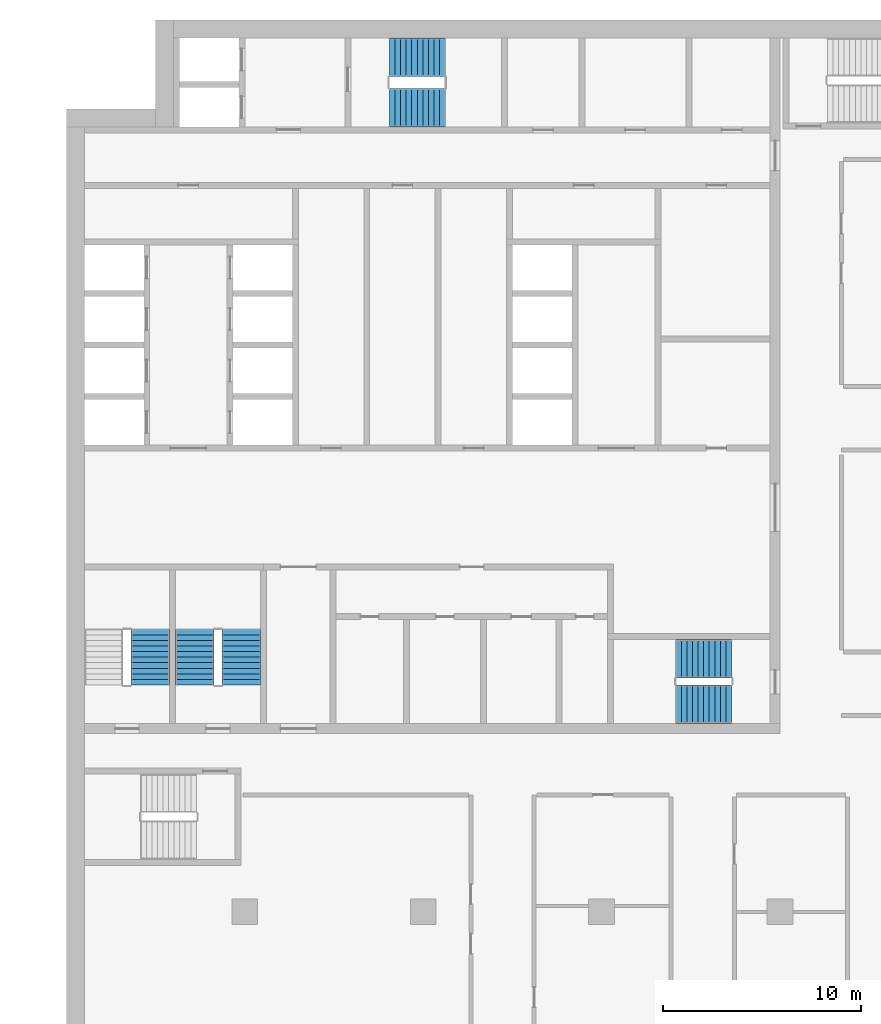
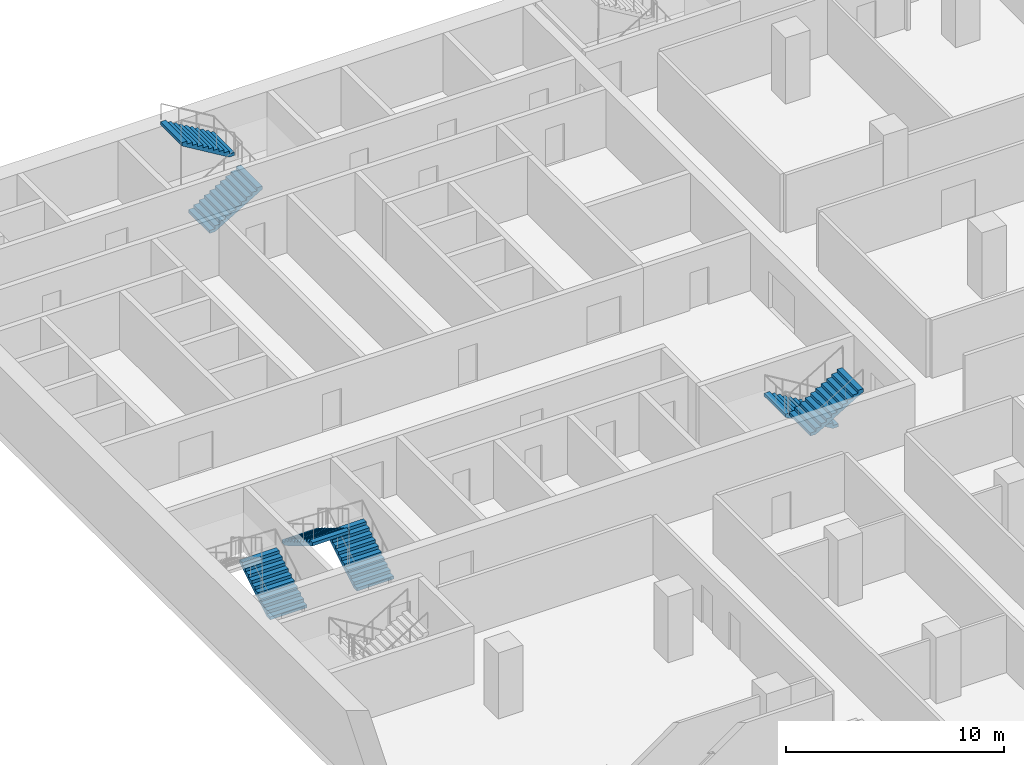
# One storey, part 17 of 23: 7 stair flights, 4 elements without a shape of their own.
"""IFC4 building model written with IfcOpenShell, lengths in metres."""

from ifc_helpers import new_model, si_unit, direction, frame, origin, place, context, subcontext, project, spatial, polyline, outline, extrude, material, type_object, element, aggregate, save


model = new_model("IFC4")

# Units and contexts
model_context = context("Model", 3, precision=1e-05, world=origin(), true_north=direction((0.0, 1.0)))
body_context = subcontext(model_context, "Body", "Model", "MODEL_VIEW")
ifc_project = project(units=[si_unit("LENGTHUNIT", "METRE"), si_unit("AREAUNIT", "SQUARE_METRE"), si_unit("VOLUMEUNIT", "CUBIC_METRE"), si_unit("PLANEANGLEUNIT", "RADIAN"), si_unit("MASSUNIT", "GRAM", prefix="KILO")], contexts=[model_context])

# Site, building, storey
site_placement = place(None, origin())
site = spatial("IfcSite", under=ifc_project, at=site_placement, CompositionType="ELEMENT")
building_placement = place(site_placement, origin())
building = spatial("IfcBuilding", under=site, at=building_placement, Name="Hunhe Ridgeline Campus", CompositionType="ELEMENT")
storey_placement = place(building_placement, frame((0.0, 0.0, 125.5)))
storey = spatial("IfcBuildingStorey", under=building, at=storey_placement, Name="L31", CompositionType="ELEMENT", Elevation=125.5)

# Stair, stair flights
ifc_material = material(Name="Concrete C40", Category="concrete")
stair_type = type_object("IfcStairType", Name="Reinforced concrete dog-leg stair 1950 Concrete C40", PredefinedType="HALF_TURN_STAIR", material=ifc_material)
stair_1_placement = place(storey_placement, origin())
stair_1 = element("IfcStair", 1, at=stair_1_placement, inside=storey, type_object=stair_type, Name="L31 S1", PredefinedType="HALF_TURN_STAIR")
stair_flight_type = type_object("IfcStairFlightType", Name="Reinforced concrete stair flight 1950 Concrete C40", PredefinedType="STRAIGHT", material=ifc_material)
stair_flight_1_placement = place(storey_placement, frame((16.300048828125, 94.574951171875, 0.0), z_axis=(0.0, 0.0, 1.0), x_axis=(1.0, 0.0, 0.0)))
stair_flight_1 = element("IfcStairFlight", 2, at=stair_flight_1_placement, type_object=stair_flight_type, Name="ST1 flight 1", NumberOfRisers=11, NumberOfTreads=10, PredefinedType="STRAIGHT", RiserHeight=0.168181818, TreadLength=0.28, context=body_context, shape_type="SweptSolid", body=[
    extrude(outline(polyline([(0.0, 0.0), (0.0, 0.168212890625), (0.280029296875, 0.168212890625), (0.280029296875, 0.33642578125), (0.56005859375, 0.33642578125), (0.56005859375, 0.504638671875), (0.840087890625, 0.504638671875), (0.840087890625, 0.672607421875), (1.1201171875, 0.672607421875), (1.1201171875, 0.8408203125), (1.39990234375, 0.8408203125), (1.39990234375, 1.009033203125), (1.679931640625, 1.009033203125), (1.679931640625, 1.17724609375), (1.9599609375, 1.17724609375), (1.9599609375, 1.345458984375), (2.239990234375, 1.345458984375), (2.239990234375, 1.513671875), (2.52001953125, 1.513671875), (2.52001953125, 1.681884765625), (2.800048828125, 1.681884765625), (2.800048828125, 1.85009765625), (2.800048828125, 1.5068359375), (0.291015625, 0.0), (0.0, 0.0)])), frame((0.0, 0.97509765625, 0.0), z_axis=(0.0, -1.0, 0.0), x_axis=(1.0, 0.0, 0.0)), (0.0, 0.0, 1.0), 1.949951171875),
    extrude(outline(polyline([(0.030029296875, 0.030029296875), (0.030029296875, 0.13818359375), (0.31005859375, 0.13818359375), (0.31005859375, 0.306396484375), (0.590087890625, 0.306396484375), (0.590087890625, 0.474609375), (0.8701171875, 0.474609375), (0.8701171875, 0.642578125), (1.14990234375, 0.642578125), (1.14990234375, 0.810791015625), (1.429931640625, 0.810791015625), (1.429931640625, 0.97900390625), (1.7099609375, 0.97900390625), (1.7099609375, 1.147216796875), (1.989990234375, 1.147216796875), (1.989990234375, 1.3154296875), (2.27001953125, 1.3154296875), (2.27001953125, 1.483642578125), (2.550048828125, 1.483642578125), (2.550048828125, 1.65185546875), (2.77001953125, 1.65185546875), (2.77001953125, 1.52392578125), (0.28271484375, 0.030029296875), (0.030029296875, 0.030029296875)])), frame((0.0, -0.070068359375, 0.0), z_axis=(0.0, -1.0, 0.0), x_axis=(1.0, 0.0, 0.0)), (0.0, 0.0, 1.0), 0.019775390625),
    extrude(outline(polyline([(0.030029296875, 0.030029296875), (0.030029296875, 0.13818359375), (0.31005859375, 0.13818359375), (0.31005859375, 0.306396484375), (0.590087890625, 0.306396484375), (0.590087890625, 0.474609375), (0.8701171875, 0.474609375), (0.8701171875, 0.642578125), (1.14990234375, 0.642578125), (1.14990234375, 0.810791015625), (1.429931640625, 0.810791015625), (1.429931640625, 0.97900390625), (1.7099609375, 0.97900390625), (1.7099609375, 1.147216796875), (1.989990234375, 1.147216796875), (1.989990234375, 1.3154296875), (2.27001953125, 1.3154296875), (2.27001953125, 1.483642578125), (2.550048828125, 1.483642578125), (2.550048828125, 1.65185546875), (2.77001953125, 1.65185546875), (2.77001953125, 1.52392578125), (0.28271484375, 0.030029296875), (0.030029296875, 0.030029296875)])), frame((0.0, 0.010009765625, 0.0), z_axis=(0.0, -1.0, 0.0), x_axis=(1.0, 0.0, 0.0)), (0.0, 0.0, 1.0), 0.019775390625),
    extrude(outline(polyline([(0.030029296875, 0.030029296875), (0.030029296875, 0.13818359375), (0.31005859375, 0.13818359375), (0.31005859375, 0.306396484375), (0.590087890625, 0.306396484375), (0.590087890625, 0.474609375), (0.8701171875, 0.474609375), (0.8701171875, 0.642578125), (1.14990234375, 0.642578125), (1.14990234375, 0.810791015625), (1.429931640625, 0.810791015625), (1.429931640625, 0.97900390625), (1.7099609375, 0.97900390625), (1.7099609375, 1.147216796875), (1.989990234375, 1.147216796875), (1.989990234375, 1.3154296875), (2.27001953125, 1.3154296875), (2.27001953125, 1.483642578125), (2.550048828125, 1.483642578125), (2.550048828125, 1.65185546875), (2.77001953125, 1.65185546875), (2.77001953125, 1.52392578125), (0.28271484375, 0.030029296875), (0.030029296875, 0.030029296875)])), frame((0.0, 0.090087890625, 0.0), z_axis=(0.0, -1.0, 0.0), x_axis=(1.0, 0.0, 0.0)), (0.0, 0.0, 1.0), 0.019775390625),
])
stair_flight_2_placement = place(storey_placement, frame((19.10009765625, 97.125, 1.85009765625), z_axis=(0.0, 0.0, 1.0), x_axis=(-1.0, 0.0, 0.0)))
stair_flight_2 = element("IfcStairFlight", 3, at=stair_flight_2_placement, type_object=stair_flight_type, Name="ST1 flight 2", NumberOfRisers=11, NumberOfTreads=10, PredefinedType="STRAIGHT", RiserHeight=0.168181818, TreadLength=0.28, context=body_context, shape_type="SweptSolid", body=[
    extrude(outline(polyline([(0.0, 0.0), (0.0, 0.168212890625), (0.280029296875, 0.168212890625), (0.280029296875, 0.33642578125), (0.56005859375, 0.33642578125), (0.56005859375, 0.504638671875), (0.840087890625, 0.504638671875), (0.840087890625, 0.672607421875), (1.1201171875, 0.672607421875), (1.1201171875, 0.8408203125), (1.39990234375, 0.8408203125), (1.39990234375, 1.009033203125), (1.679931640625, 1.009033203125), (1.679931640625, 1.17724609375), (1.9599609375, 1.17724609375), (1.9599609375, 1.345458984375), (2.239990234375, 1.345458984375), (2.239990234375, 1.513671875), (2.52001953125, 1.513671875), (2.52001953125, 1.681884765625), (2.800048828125, 1.681884765625), (2.800048828125, 1.85009765625), (2.800048828125, 1.5068359375), (0.291015625, 0.0), (0.0, 0.0)])), frame((0.0, 0.97509765625, 0.0), z_axis=(0.0, -1.0, 0.0), x_axis=(1.0, 0.0, 0.0)), (0.0, 0.0, 1.0), 1.949951171875),
    extrude(outline(polyline([(0.030029296875, 0.030029296875), (0.030029296875, 0.13818359375), (0.31005859375, 0.13818359375), (0.31005859375, 0.306396484375), (0.590087890625, 0.306396484375), (0.590087890625, 0.474609375), (0.8701171875, 0.474609375), (0.8701171875, 0.642578125), (1.14990234375, 0.642578125), (1.14990234375, 0.810791015625), (1.429931640625, 0.810791015625), (1.429931640625, 0.97900390625), (1.7099609375, 0.97900390625), (1.7099609375, 1.147216796875), (1.989990234375, 1.147216796875), (1.989990234375, 1.3154296875), (2.27001953125, 1.3154296875), (2.27001953125, 1.483642578125), (2.550048828125, 1.483642578125), (2.550048828125, 1.65185546875), (2.77001953125, 1.65185546875), (2.77001953125, 1.52392578125), (0.28271484375, 0.030029296875), (0.030029296875, 0.030029296875)])), frame((0.0, -0.070068359375, 0.0), z_axis=(0.0, -1.0, 0.0), x_axis=(1.0, 0.0, 0.0)), (0.0, 0.0, 1.0), 0.019775390625),
    extrude(outline(polyline([(0.030029296875, 0.030029296875), (0.030029296875, 0.13818359375), (0.31005859375, 0.13818359375), (0.31005859375, 0.306396484375), (0.590087890625, 0.306396484375), (0.590087890625, 0.474609375), (0.8701171875, 0.474609375), (0.8701171875, 0.642578125), (1.14990234375, 0.642578125), (1.14990234375, 0.810791015625), (1.429931640625, 0.810791015625), (1.429931640625, 0.97900390625), (1.7099609375, 0.97900390625), (1.7099609375, 1.147216796875), (1.989990234375, 1.147216796875), (1.989990234375, 1.3154296875), (2.27001953125, 1.3154296875), (2.27001953125, 1.483642578125), (2.550048828125, 1.483642578125), (2.550048828125, 1.65185546875), (2.77001953125, 1.65185546875), (2.77001953125, 1.52392578125), (0.28271484375, 0.030029296875), (0.030029296875, 0.030029296875)])), frame((0.0, 0.010009765625, 0.0), z_axis=(0.0, -1.0, 0.0), x_axis=(1.0, 0.0, 0.0)), (0.0, 0.0, 1.0), 0.019775390625),
    extrude(outline(polyline([(0.030029296875, 0.030029296875), (0.030029296875, 0.13818359375), (0.31005859375, 0.13818359375), (0.31005859375, 0.306396484375), (0.590087890625, 0.306396484375), (0.590087890625, 0.474609375), (0.8701171875, 0.474609375), (0.8701171875, 0.642578125), (1.14990234375, 0.642578125), (1.14990234375, 0.810791015625), (1.429931640625, 0.810791015625), (1.429931640625, 0.97900390625), (1.7099609375, 0.97900390625), (1.7099609375, 1.147216796875), (1.989990234375, 1.147216796875), (1.989990234375, 1.3154296875), (2.27001953125, 1.3154296875), (2.27001953125, 1.483642578125), (2.550048828125, 1.483642578125), (2.550048828125, 1.65185546875), (2.77001953125, 1.65185546875), (2.77001953125, 1.52392578125), (0.28271484375, 0.030029296875), (0.030029296875, 0.030029296875)])), frame((0.0, 0.090087890625, 0.0), z_axis=(0.0, -1.0, 0.0), x_axis=(1.0, 0.0, 0.0)), (0.0, 0.0, 1.0), 0.019775390625),
])
aggregate(stair_1, [stair_flight_1, stair_flight_2])

stair_2_placement = place(storey_placement, origin())
stair_2 = element("IfcStair", 4, at=stair_2_placement, inside=storey, type_object=stair_type, Name="L31 S2", PredefinedType="HALF_TURN_STAIR")
stair_flight_3_placement = place(storey_placement, frame((33.550048828125, 66.77490234375, 0.0), z_axis=(0.0, 0.0, 1.0), x_axis=(-1.0, 0.0, 0.0)))
stair_flight_3 = element("IfcStairFlight", 5, at=stair_flight_3_placement, type_object=stair_flight_type, Name="ST2 flight 1", NumberOfRisers=11, NumberOfTreads=10, PredefinedType="STRAIGHT", RiserHeight=0.168181818, TreadLength=0.28, context=body_context, shape_type="SweptSolid", body=[
    extrude(outline(polyline([(0.0, 0.0), (0.0, 0.168212890625), (0.280029296875, 0.168212890625), (0.280029296875, 0.33642578125), (0.56005859375, 0.33642578125), (0.56005859375, 0.504638671875), (0.840087890625, 0.504638671875), (0.840087890625, 0.672607421875), (1.1201171875, 0.672607421875), (1.1201171875, 0.8408203125), (1.39990234375, 0.8408203125), (1.39990234375, 1.009033203125), (1.679931640625, 1.009033203125), (1.679931640625, 1.17724609375), (1.9599609375, 1.17724609375), (1.9599609375, 1.345458984375), (2.239990234375, 1.345458984375), (2.239990234375, 1.513671875), (2.52001953125, 1.513671875), (2.52001953125, 1.681884765625), (2.800048828125, 1.681884765625), (2.800048828125, 1.85009765625), (2.800048828125, 1.5068359375), (0.291015625, 0.0), (0.0, 0.0)])), frame((0.0, 0.97509765625, 0.0), z_axis=(0.0, -1.0, 0.0), x_axis=(1.0, 0.0, 0.0)), (0.0, 0.0, 1.0), 1.949951171875),
    extrude(outline(polyline([(0.030029296875, 0.030029296875), (0.030029296875, 0.13818359375), (0.31005859375, 0.13818359375), (0.31005859375, 0.306396484375), (0.590087890625, 0.306396484375), (0.590087890625, 0.474609375), (0.8701171875, 0.474609375), (0.8701171875, 0.642578125), (1.14990234375, 0.642578125), (1.14990234375, 0.810791015625), (1.429931640625, 0.810791015625), (1.429931640625, 0.97900390625), (1.7099609375, 0.97900390625), (1.7099609375, 1.147216796875), (1.989990234375, 1.147216796875), (1.989990234375, 1.3154296875), (2.27001953125, 1.3154296875), (2.27001953125, 1.483642578125), (2.550048828125, 1.483642578125), (2.550048828125, 1.65185546875), (2.77001953125, 1.65185546875), (2.77001953125, 1.52392578125), (0.28271484375, 0.030029296875), (0.030029296875, 0.030029296875)])), frame((0.0, -0.070068359375, 0.0), z_axis=(0.0, -1.0, 0.0), x_axis=(1.0, 0.0, 0.0)), (0.0, 0.0, 1.0), 0.019775390625),
    extrude(outline(polyline([(0.030029296875, 0.030029296875), (0.030029296875, 0.13818359375), (0.31005859375, 0.13818359375), (0.31005859375, 0.306396484375), (0.590087890625, 0.306396484375), (0.590087890625, 0.474609375), (0.8701171875, 0.474609375), (0.8701171875, 0.642578125), (1.14990234375, 0.642578125), (1.14990234375, 0.810791015625), (1.429931640625, 0.810791015625), (1.429931640625, 0.97900390625), (1.7099609375, 0.97900390625), (1.7099609375, 1.147216796875), (1.989990234375, 1.147216796875), (1.989990234375, 1.3154296875), (2.27001953125, 1.3154296875), (2.27001953125, 1.483642578125), (2.550048828125, 1.483642578125), (2.550048828125, 1.65185546875), (2.77001953125, 1.65185546875), (2.77001953125, 1.52392578125), (0.28271484375, 0.030029296875), (0.030029296875, 0.030029296875)])), frame((0.0, 0.010009765625, 0.0), z_axis=(0.0, -1.0, 0.0), x_axis=(1.0, 0.0, 0.0)), (0.0, 0.0, 1.0), 0.019775390625),
    extrude(outline(polyline([(0.030029296875, 0.030029296875), (0.030029296875, 0.13818359375), (0.31005859375, 0.13818359375), (0.31005859375, 0.306396484375), (0.590087890625, 0.306396484375), (0.590087890625, 0.474609375), (0.8701171875, 0.474609375), (0.8701171875, 0.642578125), (1.14990234375, 0.642578125), (1.14990234375, 0.810791015625), (1.429931640625, 0.810791015625), (1.429931640625, 0.97900390625), (1.7099609375, 0.97900390625), (1.7099609375, 1.147216796875), (1.989990234375, 1.147216796875), (1.989990234375, 1.3154296875), (2.27001953125, 1.3154296875), (2.27001953125, 1.483642578125), (2.550048828125, 1.483642578125), (2.550048828125, 1.65185546875), (2.77001953125, 1.65185546875), (2.77001953125, 1.52392578125), (0.28271484375, 0.030029296875), (0.030029296875, 0.030029296875)])), frame((0.0, 0.090087890625, 0.0), z_axis=(0.0, -1.0, 0.0), x_axis=(1.0, 0.0, 0.0)), (0.0, 0.0, 1.0), 0.019775390625),
])
stair_flight_4_placement = place(storey_placement, frame((30.75, 64.47509765625, 1.85009765625), z_axis=(0.0, 0.0, 1.0), x_axis=(1.0, 0.0, 0.0)))
stair_flight_4 = element("IfcStairFlight", 6, at=stair_flight_4_placement, type_object=stair_flight_type, Name="ST2 flight 2", NumberOfRisers=11, NumberOfTreads=10, PredefinedType="STRAIGHT", RiserHeight=0.168181818, TreadLength=0.28, context=body_context, shape_type="SweptSolid", body=[
    extrude(outline(polyline([(0.0, 0.0), (0.0, 0.168212890625), (0.280029296875, 0.168212890625), (0.280029296875, 0.33642578125), (0.56005859375, 0.33642578125), (0.56005859375, 0.504638671875), (0.840087890625, 0.504638671875), (0.840087890625, 0.672607421875), (1.1201171875, 0.672607421875), (1.1201171875, 0.8408203125), (1.39990234375, 0.8408203125), (1.39990234375, 1.009033203125), (1.679931640625, 1.009033203125), (1.679931640625, 1.17724609375), (1.9599609375, 1.17724609375), (1.9599609375, 1.345458984375), (2.239990234375, 1.345458984375), (2.239990234375, 1.513671875), (2.52001953125, 1.513671875), (2.52001953125, 1.681884765625), (2.800048828125, 1.681884765625), (2.800048828125, 1.85009765625), (2.800048828125, 1.5068359375), (0.291015625, 0.0), (0.0, 0.0)])), frame((0.0, 0.97509765625, 0.0), z_axis=(0.0, -1.0, 0.0), x_axis=(1.0, 0.0, 0.0)), (0.0, 0.0, 1.0), 1.949951171875),
    extrude(outline(polyline([(0.030029296875, 0.030029296875), (0.030029296875, 0.13818359375), (0.31005859375, 0.13818359375), (0.31005859375, 0.306396484375), (0.590087890625, 0.306396484375), (0.590087890625, 0.474609375), (0.8701171875, 0.474609375), (0.8701171875, 0.642578125), (1.14990234375, 0.642578125), (1.14990234375, 0.810791015625), (1.429931640625, 0.810791015625), (1.429931640625, 0.97900390625), (1.7099609375, 0.97900390625), (1.7099609375, 1.147216796875), (1.989990234375, 1.147216796875), (1.989990234375, 1.3154296875), (2.27001953125, 1.3154296875), (2.27001953125, 1.483642578125), (2.550048828125, 1.483642578125), (2.550048828125, 1.65185546875), (2.77001953125, 1.65185546875), (2.77001953125, 1.52392578125), (0.28271484375, 0.030029296875), (0.030029296875, 0.030029296875)])), frame((0.0, -0.070068359375, 0.0), z_axis=(0.0, -1.0, 0.0), x_axis=(1.0, 0.0, 0.0)), (0.0, 0.0, 1.0), 0.019775390625),
    extrude(outline(polyline([(0.030029296875, 0.030029296875), (0.030029296875, 0.13818359375), (0.31005859375, 0.13818359375), (0.31005859375, 0.306396484375), (0.590087890625, 0.306396484375), (0.590087890625, 0.474609375), (0.8701171875, 0.474609375), (0.8701171875, 0.642578125), (1.14990234375, 0.642578125), (1.14990234375, 0.810791015625), (1.429931640625, 0.810791015625), (1.429931640625, 0.97900390625), (1.7099609375, 0.97900390625), (1.7099609375, 1.147216796875), (1.989990234375, 1.147216796875), (1.989990234375, 1.3154296875), (2.27001953125, 1.3154296875), (2.27001953125, 1.483642578125), (2.550048828125, 1.483642578125), (2.550048828125, 1.65185546875), (2.77001953125, 1.65185546875), (2.77001953125, 1.52392578125), (0.28271484375, 0.030029296875), (0.030029296875, 0.030029296875)])), frame((0.0, 0.010009765625, 0.0), z_axis=(0.0, -1.0, 0.0), x_axis=(1.0, 0.0, 0.0)), (0.0, 0.0, 1.0), 0.019775390625),
    extrude(outline(polyline([(0.030029296875, 0.030029296875), (0.030029296875, 0.13818359375), (0.31005859375, 0.13818359375), (0.31005859375, 0.306396484375), (0.590087890625, 0.306396484375), (0.590087890625, 0.474609375), (0.8701171875, 0.474609375), (0.8701171875, 0.642578125), (1.14990234375, 0.642578125), (1.14990234375, 0.810791015625), (1.429931640625, 0.810791015625), (1.429931640625, 0.97900390625), (1.7099609375, 0.97900390625), (1.7099609375, 1.147216796875), (1.989990234375, 1.147216796875), (1.989990234375, 1.3154296875), (2.27001953125, 1.3154296875), (2.27001953125, 1.483642578125), (2.550048828125, 1.483642578125), (2.550048828125, 1.65185546875), (2.77001953125, 1.65185546875), (2.77001953125, 1.52392578125), (0.28271484375, 0.030029296875), (0.030029296875, 0.030029296875)])), frame((0.0, 0.090087890625, 0.0), z_axis=(0.0, -1.0, 0.0), x_axis=(1.0, 0.0, 0.0)), (0.0, 0.0, 1.0), 0.019775390625),
])
aggregate(stair_2, [stair_flight_3, stair_flight_4])

# Stair, stair flight
stair_3_placement = place(storey_placement, origin())
stair_3 = element("IfcStair", 7, at=stair_3_placement, inside=storey, type_object=stair_type, Name="L31 S3", PredefinedType="HALF_TURN_STAIR")
stair_flight_5_placement = place(storey_placement, frame((4.22509765625, 65.449951171875, 0.0), z_axis=(0.0, 0.0, 1.0), x_axis=(0.0, 1.0, 0.0)))
stair_flight_5 = element("IfcStairFlight", 8, at=stair_flight_5_placement, type_object=stair_flight_type, Name="ST3 flight 1", NumberOfRisers=11, NumberOfTreads=10, PredefinedType="STRAIGHT", RiserHeight=0.168181818, TreadLength=0.28, context=body_context, shape_type="SweptSolid", body=[
    extrude(outline(polyline([(0.0, 0.0), (0.0, 0.168212890625), (0.280029296875, 0.168212890625), (0.280029296875, 0.33642578125), (0.56005859375, 0.33642578125), (0.56005859375, 0.504638671875), (0.840087890625, 0.504638671875), (0.840087890625, 0.672607421875), (1.1201171875, 0.672607421875), (1.1201171875, 0.8408203125), (1.39990234375, 0.8408203125), (1.39990234375, 1.009033203125), (1.679931640625, 1.009033203125), (1.679931640625, 1.17724609375), (1.9599609375, 1.17724609375), (1.9599609375, 1.345458984375), (2.239990234375, 1.345458984375), (2.239990234375, 1.513671875), (2.52001953125, 1.513671875), (2.52001953125, 1.681884765625), (2.800048828125, 1.681884765625), (2.800048828125, 1.85009765625), (2.800048828125, 1.5068359375), (0.291015625, 0.0), (0.0, 0.0)])), frame((0.0, 0.97509765625, 0.0), z_axis=(0.0, -1.0, 0.0), x_axis=(1.0, 0.0, 0.0)), (0.0, 0.0, 1.0), 1.949951171875),
    extrude(outline(polyline([(0.030029296875, 0.030029296875), (0.030029296875, 0.13818359375), (0.31005859375, 0.13818359375), (0.31005859375, 0.306396484375), (0.590087890625, 0.306396484375), (0.590087890625, 0.474609375), (0.8701171875, 0.474609375), (0.8701171875, 0.642578125), (1.14990234375, 0.642578125), (1.14990234375, 0.810791015625), (1.429931640625, 0.810791015625), (1.429931640625, 0.97900390625), (1.7099609375, 0.97900390625), (1.7099609375, 1.147216796875), (1.989990234375, 1.147216796875), (1.989990234375, 1.3154296875), (2.27001953125, 1.3154296875), (2.27001953125, 1.483642578125), (2.550048828125, 1.483642578125), (2.550048828125, 1.65185546875), (2.77001953125, 1.65185546875), (2.77001953125, 1.52392578125), (0.28271484375, 0.030029296875), (0.030029296875, 0.030029296875)])), frame((0.0, -0.070068359375, 0.0), z_axis=(0.0, -1.0, 0.0), x_axis=(1.0, 0.0, 0.0)), (0.0, 0.0, 1.0), 0.019775390625),
    extrude(outline(polyline([(0.030029296875, 0.030029296875), (0.030029296875, 0.13818359375), (0.31005859375, 0.13818359375), (0.31005859375, 0.306396484375), (0.590087890625, 0.306396484375), (0.590087890625, 0.474609375), (0.8701171875, 0.474609375), (0.8701171875, 0.642578125), (1.14990234375, 0.642578125), (1.14990234375, 0.810791015625), (1.429931640625, 0.810791015625), (1.429931640625, 0.97900390625), (1.7099609375, 0.97900390625), (1.7099609375, 1.147216796875), (1.989990234375, 1.147216796875), (1.989990234375, 1.3154296875), (2.27001953125, 1.3154296875), (2.27001953125, 1.483642578125), (2.550048828125, 1.483642578125), (2.550048828125, 1.65185546875), (2.77001953125, 1.65185546875), (2.77001953125, 1.52392578125), (0.28271484375, 0.030029296875), (0.030029296875, 0.030029296875)])), frame((0.0, 0.010009765625, 0.0), z_axis=(0.0, -1.0, 0.0), x_axis=(1.0, 0.0, 0.0)), (0.0, 0.0, 1.0), 0.019775390625),
    extrude(outline(polyline([(0.030029296875, 0.030029296875), (0.030029296875, 0.13818359375), (0.31005859375, 0.13818359375), (0.31005859375, 0.306396484375), (0.590087890625, 0.306396484375), (0.590087890625, 0.474609375), (0.8701171875, 0.474609375), (0.8701171875, 0.642578125), (1.14990234375, 0.642578125), (1.14990234375, 0.810791015625), (1.429931640625, 0.810791015625), (1.429931640625, 0.97900390625), (1.7099609375, 0.97900390625), (1.7099609375, 1.147216796875), (1.989990234375, 1.147216796875), (1.989990234375, 1.3154296875), (2.27001953125, 1.3154296875), (2.27001953125, 1.483642578125), (2.550048828125, 1.483642578125), (2.550048828125, 1.65185546875), (2.77001953125, 1.65185546875), (2.77001953125, 1.52392578125), (0.28271484375, 0.030029296875), (0.030029296875, 0.030029296875)])), frame((0.0, 0.090087890625, 0.0), z_axis=(0.0, -1.0, 0.0), x_axis=(1.0, 0.0, 0.0)), (0.0, 0.0, 1.0), 0.019775390625),
])
aggregate(stair_3, [stair_flight_5])

# Stair, stair flights
stair_4_placement = place(storey_placement, origin())
stair_4 = element("IfcStair", 9, at=stair_4_placement, inside=storey, type_object=stair_type, Name="L31 S4", PredefinedType="HALF_TURN_STAIR")
stair_flight_6_placement = place(storey_placement, frame((8.824951171875, 65.449951171875, 0.0), z_axis=(0.0, 0.0, 1.0), x_axis=(0.0, 1.0, 0.0)))
stair_flight_6 = element("IfcStairFlight", 10, at=stair_flight_6_placement, type_object=stair_flight_type, Name="ST4 flight 1", NumberOfRisers=11, NumberOfTreads=10, PredefinedType="STRAIGHT", RiserHeight=0.168181818, TreadLength=0.28, context=body_context, shape_type="SweptSolid", body=[
    extrude(outline(polyline([(0.0, 0.0), (0.0, 0.168212890625), (0.280029296875, 0.168212890625), (0.280029296875, 0.33642578125), (0.56005859375, 0.33642578125), (0.56005859375, 0.504638671875), (0.840087890625, 0.504638671875), (0.840087890625, 0.672607421875), (1.1201171875, 0.672607421875), (1.1201171875, 0.8408203125), (1.39990234375, 0.8408203125), (1.39990234375, 1.009033203125), (1.679931640625, 1.009033203125), (1.679931640625, 1.17724609375), (1.9599609375, 1.17724609375), (1.9599609375, 1.345458984375), (2.239990234375, 1.345458984375), (2.239990234375, 1.513671875), (2.52001953125, 1.513671875), (2.52001953125, 1.681884765625), (2.800048828125, 1.681884765625), (2.800048828125, 1.85009765625), (2.800048828125, 1.5068359375), (0.291015625, 0.0), (0.0, 0.0)])), frame((0.0, 0.97509765625, 0.0), z_axis=(0.0, -1.0, 0.0), x_axis=(1.0, 0.0, 0.0)), (0.0, 0.0, 1.0), 1.949951171875),
    extrude(outline(polyline([(0.030029296875, 0.030029296875), (0.030029296875, 0.13818359375), (0.31005859375, 0.13818359375), (0.31005859375, 0.306396484375), (0.590087890625, 0.306396484375), (0.590087890625, 0.474609375), (0.8701171875, 0.474609375), (0.8701171875, 0.642578125), (1.14990234375, 0.642578125), (1.14990234375, 0.810791015625), (1.429931640625, 0.810791015625), (1.429931640625, 0.97900390625), (1.7099609375, 0.97900390625), (1.7099609375, 1.147216796875), (1.989990234375, 1.147216796875), (1.989990234375, 1.3154296875), (2.27001953125, 1.3154296875), (2.27001953125, 1.483642578125), (2.550048828125, 1.483642578125), (2.550048828125, 1.65185546875), (2.77001953125, 1.65185546875), (2.77001953125, 1.52392578125), (0.28271484375, 0.030029296875), (0.030029296875, 0.030029296875)])), frame((0.0, -0.070068359375, 0.0), z_axis=(0.0, -1.0, 0.0), x_axis=(1.0, 0.0, 0.0)), (0.0, 0.0, 1.0), 0.019775390625),
    extrude(outline(polyline([(0.030029296875, 0.030029296875), (0.030029296875, 0.13818359375), (0.31005859375, 0.13818359375), (0.31005859375, 0.306396484375), (0.590087890625, 0.306396484375), (0.590087890625, 0.474609375), (0.8701171875, 0.474609375), (0.8701171875, 0.642578125), (1.14990234375, 0.642578125), (1.14990234375, 0.810791015625), (1.429931640625, 0.810791015625), (1.429931640625, 0.97900390625), (1.7099609375, 0.97900390625), (1.7099609375, 1.147216796875), (1.989990234375, 1.147216796875), (1.989990234375, 1.3154296875), (2.27001953125, 1.3154296875), (2.27001953125, 1.483642578125), (2.550048828125, 1.483642578125), (2.550048828125, 1.65185546875), (2.77001953125, 1.65185546875), (2.77001953125, 1.52392578125), (0.28271484375, 0.030029296875), (0.030029296875, 0.030029296875)])), frame((0.0, 0.010009765625, 0.0), z_axis=(0.0, -1.0, 0.0), x_axis=(1.0, 0.0, 0.0)), (0.0, 0.0, 1.0), 0.019775390625),
    extrude(outline(polyline([(0.030029296875, 0.030029296875), (0.030029296875, 0.13818359375), (0.31005859375, 0.13818359375), (0.31005859375, 0.306396484375), (0.590087890625, 0.306396484375), (0.590087890625, 0.474609375), (0.8701171875, 0.474609375), (0.8701171875, 0.642578125), (1.14990234375, 0.642578125), (1.14990234375, 0.810791015625), (1.429931640625, 0.810791015625), (1.429931640625, 0.97900390625), (1.7099609375, 0.97900390625), (1.7099609375, 1.147216796875), (1.989990234375, 1.147216796875), (1.989990234375, 1.3154296875), (2.27001953125, 1.3154296875), (2.27001953125, 1.483642578125), (2.550048828125, 1.483642578125), (2.550048828125, 1.65185546875), (2.77001953125, 1.65185546875), (2.77001953125, 1.52392578125), (0.28271484375, 0.030029296875), (0.030029296875, 0.030029296875)])), frame((0.0, 0.090087890625, 0.0), z_axis=(0.0, -1.0, 0.0), x_axis=(1.0, 0.0, 0.0)), (0.0, 0.0, 1.0), 0.019775390625),
])
stair_flight_7_placement = place(storey_placement, frame((6.47509765625, 68.25, 1.85009765625), z_axis=(0.0, 0.0, 1.0), x_axis=(0.0, -1.0, 0.0)))
stair_flight_7 = element("IfcStairFlight", 11, at=stair_flight_7_placement, type_object=stair_flight_type, Name="ST4 flight 2", NumberOfRisers=11, NumberOfTreads=10, PredefinedType="STRAIGHT", RiserHeight=0.168181818, TreadLength=0.28, context=body_context, shape_type="SweptSolid", body=[
    extrude(outline(polyline([(0.0, 0.0), (0.0, 0.168212890625), (0.280029296875, 0.168212890625), (0.280029296875, 0.33642578125), (0.56005859375, 0.33642578125), (0.56005859375, 0.504638671875), (0.840087890625, 0.504638671875), (0.840087890625, 0.672607421875), (1.1201171875, 0.672607421875), (1.1201171875, 0.8408203125), (1.39990234375, 0.8408203125), (1.39990234375, 1.009033203125), (1.679931640625, 1.009033203125), (1.679931640625, 1.17724609375), (1.9599609375, 1.17724609375), (1.9599609375, 1.345458984375), (2.239990234375, 1.345458984375), (2.239990234375, 1.513671875), (2.52001953125, 1.513671875), (2.52001953125, 1.681884765625), (2.800048828125, 1.681884765625), (2.800048828125, 1.85009765625), (2.800048828125, 1.5068359375), (0.291015625, 0.0), (0.0, 0.0)])), frame((0.0, 0.97509765625, 0.0), z_axis=(0.0, -1.0, 0.0), x_axis=(1.0, 0.0, 0.0)), (0.0, 0.0, 1.0), 1.949951171875),
    extrude(outline(polyline([(0.030029296875, 0.030029296875), (0.030029296875, 0.13818359375), (0.31005859375, 0.13818359375), (0.31005859375, 0.306396484375), (0.590087890625, 0.306396484375), (0.590087890625, 0.474609375), (0.8701171875, 0.474609375), (0.8701171875, 0.642578125), (1.14990234375, 0.642578125), (1.14990234375, 0.810791015625), (1.429931640625, 0.810791015625), (1.429931640625, 0.97900390625), (1.7099609375, 0.97900390625), (1.7099609375, 1.147216796875), (1.989990234375, 1.147216796875), (1.989990234375, 1.3154296875), (2.27001953125, 1.3154296875), (2.27001953125, 1.483642578125), (2.550048828125, 1.483642578125), (2.550048828125, 1.65185546875), (2.77001953125, 1.65185546875), (2.77001953125, 1.52392578125), (0.28271484375, 0.030029296875), (0.030029296875, 0.030029296875)])), frame((0.0, -0.070068359375, 0.0), z_axis=(0.0, -1.0, 0.0), x_axis=(1.0, 0.0, 0.0)), (0.0, 0.0, 1.0), 0.019775390625),
    extrude(outline(polyline([(0.030029296875, 0.030029296875), (0.030029296875, 0.13818359375), (0.31005859375, 0.13818359375), (0.31005859375, 0.306396484375), (0.590087890625, 0.306396484375), (0.590087890625, 0.474609375), (0.8701171875, 0.474609375), (0.8701171875, 0.642578125), (1.14990234375, 0.642578125), (1.14990234375, 0.810791015625), (1.429931640625, 0.810791015625), (1.429931640625, 0.97900390625), (1.7099609375, 0.97900390625), (1.7099609375, 1.147216796875), (1.989990234375, 1.147216796875), (1.989990234375, 1.3154296875), (2.27001953125, 1.3154296875), (2.27001953125, 1.483642578125), (2.550048828125, 1.483642578125), (2.550048828125, 1.65185546875), (2.77001953125, 1.65185546875), (2.77001953125, 1.52392578125), (0.28271484375, 0.030029296875), (0.030029296875, 0.030029296875)])), frame((0.0, 0.010009765625, 0.0), z_axis=(0.0, -1.0, 0.0), x_axis=(1.0, 0.0, 0.0)), (0.0, 0.0, 1.0), 0.019775390625),
    extrude(outline(polyline([(0.030029296875, 0.030029296875), (0.030029296875, 0.13818359375), (0.31005859375, 0.13818359375), (0.31005859375, 0.306396484375), (0.590087890625, 0.306396484375), (0.590087890625, 0.474609375), (0.8701171875, 0.474609375), (0.8701171875, 0.642578125), (1.14990234375, 0.642578125), (1.14990234375, 0.810791015625), (1.429931640625, 0.810791015625), (1.429931640625, 0.97900390625), (1.7099609375, 0.97900390625), (1.7099609375, 1.147216796875), (1.989990234375, 1.147216796875), (1.989990234375, 1.3154296875), (2.27001953125, 1.3154296875), (2.27001953125, 1.483642578125), (2.550048828125, 1.483642578125), (2.550048828125, 1.65185546875), (2.77001953125, 1.65185546875), (2.77001953125, 1.52392578125), (0.28271484375, 0.030029296875), (0.030029296875, 0.030029296875)])), frame((0.0, 0.090087890625, 0.0), z_axis=(0.0, -1.0, 0.0), x_axis=(1.0, 0.0, 0.0)), (0.0, 0.0, 1.0), 0.019775390625),
])
aggregate(stair_4, [stair_flight_6, stair_flight_7])

save(model, "model.ifc")
